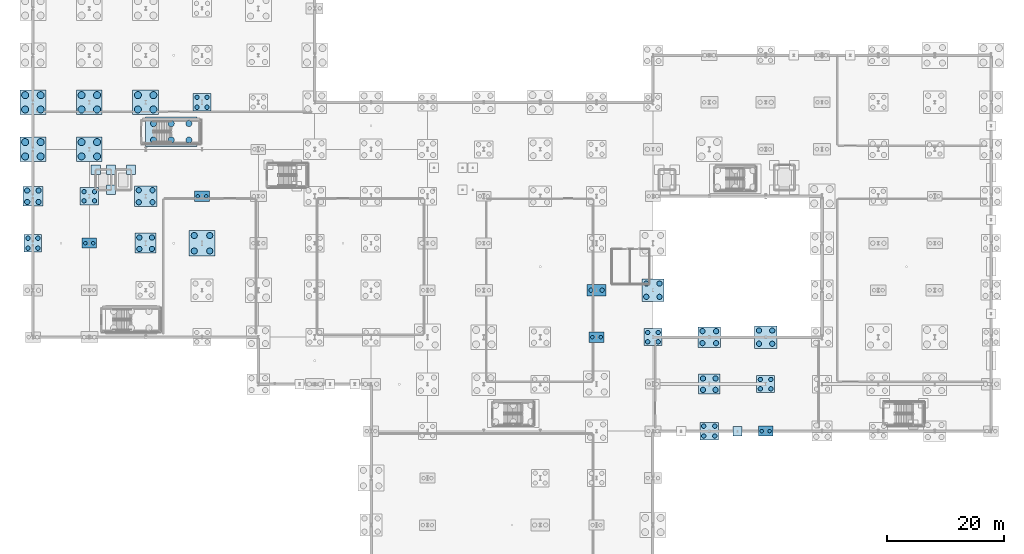
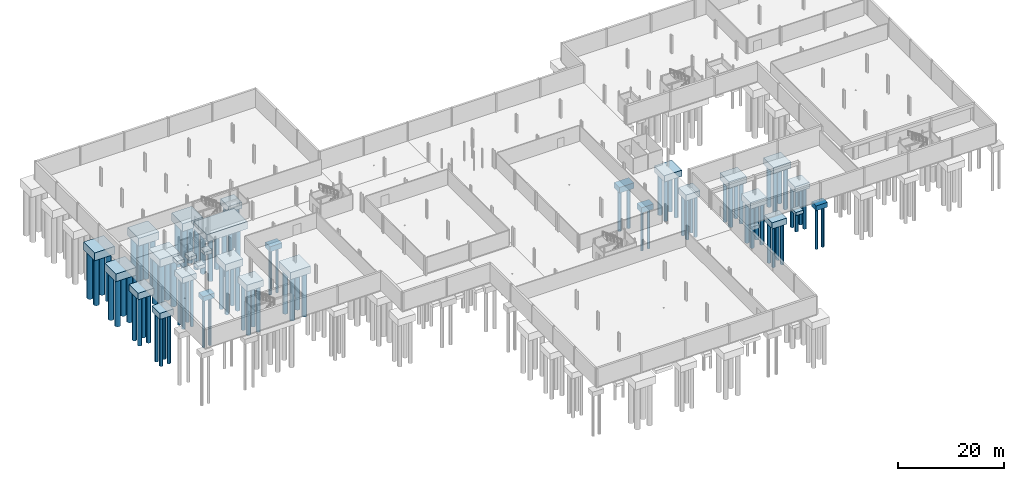
# One storey, part 3 of 47: 92 piles, 30 footings.
"""IFC4 building model written with IfcOpenShell, lengths in metres."""

from ifc_helpers import new_model, si_unit, direction, frame, origin, origin_2d, place, context, subcontext, project, spatial, rectangle, circle, extrude, material, material_profile, profile_set, type_object, element, save


model = new_model("IFC4")

# Units and contexts
model_context = context("Model", 3, precision=1e-05, world=origin(), true_north=direction((0.0, 1.0)))
body_context = subcontext(model_context, "Body", "Model", "MODEL_VIEW")
ifc_project = project(units=[si_unit("LENGTHUNIT", "METRE"), si_unit("AREAUNIT", "SQUARE_METRE"), si_unit("VOLUMEUNIT", "CUBIC_METRE"), si_unit("PLANEANGLEUNIT", "RADIAN"), si_unit("MASSUNIT", "GRAM", prefix="KILO")], contexts=[model_context])

# Site, building, storey
site_placement = place(None, origin())
site = spatial("IfcSite", under=ifc_project, at=site_placement, CompositionType="ELEMENT")
building_placement = place(site_placement, origin())
building = spatial("IfcBuilding", under=site, at=building_placement, Name="Alderhovde Museum", CompositionType="ELEMENT")
storey_placement = place(building_placement, frame((0.0, 0.0, -4.5)))
storey = spatial("IfcBuildingStorey", under=building, at=storey_placement, Name="B1", CompositionType="ELEMENT", Elevation=-4.5)

# Footings
ifc_material_1 = material(Name="Concrete C40/50", Category="concrete")
footing_type_1 = type_object("IfcFootingType", Name="PC-2500x1700x1100", PredefinedType="PILE_CAP", material=ifc_material_1)
for number, where, z_axis, x_axis, name in (
    (1, (19.199951171875, 64.0, -1.5), (0.0, 0.0, 1.0), (1.0, 0.0, 0.0), "Pile Cap at (19.2, 64.0)"),
    (2, (134.39990234375, 32.0, -1.5), (0.0, 0.0, 1.0), (1.0, 0.0, 0.0), "Pile Cap at (134.4, 32.0)"),
):
    element("IfcFooting", number, at=place(storey_placement, frame(where, z_axis=z_axis, x_axis=x_axis)), inside=storey, type_object=footing_type_1, Name=name, PredefinedType="PILE_CAP", context=body_context, shape_type="SweptSolid", body=[
        extrude(rectangle(XDim=2.5, YDim=1.699951171875, at=origin_2d()), origin(), (0.0, 0.0, 1.0), 1.10009765625),
    ])
ifc_material_2 = material(Name="Concrete C40/50", Category="concrete")
footing_type_2 = type_object("IfcFootingType", Name="PC-2600x1800x1200", PredefinedType="PILE_CAP", material=ifc_material_2)
for number, where, z_axis, x_axis, name in (
    (3, (38.39990234375, 72.0, -1.60009765625), (0.0, 0.0, 1.0), (1.0, 0.0, 0.0), "Pile Cap at (38.4, 72.0)"),
    (4, (105.60009765625, 48.0, -1.60009765625), (0.0, 0.0, 1.0), (1.0, 0.0, 0.0), "Pile Cap at (105.6, 48.0)"),
):
    element("IfcFooting", number, at=place(storey_placement, frame(where, z_axis=z_axis, x_axis=x_axis)), inside=storey, type_object=footing_type_2, Name=name, PredefinedType="PILE_CAP", context=body_context, shape_type="SweptSolid", body=[
        extrude(rectangle(XDim=2.60009765625, YDim=1.800048828125, at=origin_2d()), origin(), (0.0, 0.0, 1.0), 1.199951171875),
    ])
ifc_material_3 = material(Name="Concrete C40/50", Category="concrete")
footing_type_3 = type_object("IfcFootingType", Name="PC-3000x3000x1400", PredefinedType="PILE_CAP", material=ifc_material_3)
for number, where, z_axis, x_axis, name in (
    (5, (9.60009765625, 64.0, -1.800048828125), (0.0, 0.0, 1.0), (1.0, 0.0, 0.0), "Pile Cap at (9.6, 64.0)"),
    (6, (38.39990234375, 88.0, -1.800048828125), (0.0, 0.0, 1.0), (1.0, 0.0, 0.0), "Pile Cap at (38.4, 88.0)"),
):
    element("IfcFooting", number, at=place(storey_placement, frame(where, z_axis=z_axis, x_axis=x_axis)), inside=storey, type_object=footing_type_3, Name=name, PredefinedType="PILE_CAP", context=body_context, shape_type="SweptSolid", body=[
        extrude(rectangle(XDim=3.0, YDim=3.0, at=origin_2d()), origin(), (0.0, 0.0, 1.0), 1.39990234375),
    ])
ifc_material_4 = material(Name="Concrete C40/50", Category="concrete")
footing_type_4 = type_object("IfcFootingType", Name="PC-3100x2900x1350", PredefinedType="PILE_CAP", material=ifc_material_4)
for number, where, z_axis, x_axis, name in (
    (7, (19.199951171875, 72.0, -1.75), (0.0, 0.0, 1.0), (1.0, 0.0, 0.0), "Pile Cap at (19.2, 72.0)"),
    (8, (115.199951171875, 48.0, -1.75), (0.0, 0.0, 1.0), (1.0, 0.0, 0.0), "Pile Cap at (115.2, 48.0)"),
    (9, (134.39990234375, 40.0, -1.75), (0.0, 0.0, 1.0), (1.0, 0.0, 0.0), "Pile Cap at (134.4, 40.0)"),
):
    element("IfcFooting", number, at=place(storey_placement, frame(where, z_axis=z_axis, x_axis=x_axis)), inside=storey, type_object=footing_type_4, Name=name, PredefinedType="PILE_CAP", context=body_context, shape_type="SweptSolid", body=[
        extrude(rectangle(XDim=3.10009765625, YDim=2.89990234375, at=origin_2d()), origin(), (0.0, 0.0, 1.0), 1.35009765625),
    ])
ifc_material_5 = material(Name="Concrete C40/50", Category="concrete")
footing_type_5 = type_object("IfcFootingType", Name="PC-3200x2000x1300", PredefinedType="PILE_CAP", material=ifc_material_5)
footing_1_placement = place(storey_placement, frame((105.60009765625, 56.0, -1.7001953125), z_axis=(0.0, 0.0, 1.0), x_axis=(1.0, 0.0, 0.0)))
element("IfcFooting", 10, at=footing_1_placement, inside=storey, type_object=footing_type_5, Name="Pile Cap at (105.6, 56.0)", PredefinedType="PILE_CAP", context=body_context, shape_type="SweptSolid", body=[
    extrude(rectangle(XDim=3.199951171875, YDim=2.0, at=origin_2d()), origin(), (0.0, 0.0, 1.0), 1.300048828125),
])
ifc_material_6 = material(Name="Concrete C40/50", Category="concrete")
footing_type_6 = type_object("IfcFootingType", Name="PC-3200x3000x1400", PredefinedType="PILE_CAP", material=ifc_material_6)
footing_2_placement = place(storey_placement, frame((124.800048828125, 32.0, -1.800048828125), z_axis=(0.0, 0.0, 1.0), x_axis=(1.0, 0.0, 0.0)))
element("IfcFooting", 11, at=footing_2_placement, inside=storey, type_object=footing_type_6, Name="Pile Cap at (124.8, 32.0)", PredefinedType="PILE_CAP", context=body_context, shape_type="SweptSolid", body=[
    extrude(rectangle(XDim=3.199951171875, YDim=3.0, at=origin_2d()), origin(), (0.0, 0.0, 1.0), 1.39990234375),
])
ifc_material_7 = material(Name="Concrete C40/50", Category="concrete")
footing_type_7 = type_object("IfcFootingType", Name="PC-3400x3400x1500", PredefinedType="PILE_CAP", material=ifc_material_7)
footing_3_placement = place(storey_placement, frame((9.60009765625, 72.0, -1.89990234375), z_axis=(0.0, 0.0, 1.0), x_axis=(1.0, 0.0, 0.0)))
element("IfcFooting", 12, at=footing_3_placement, inside=storey, type_object=footing_type_7, Name="Pile Cap at (9.6, 72.0)", PredefinedType="PILE_CAP", context=body_context, shape_type="SweptSolid", body=[
    extrude(rectangle(XDim=3.39990234375, YDim=3.39990234375, at=origin_2d()), origin(), (0.0, 0.0, 1.0), 1.5),
])
ifc_material_8 = material(Name="Concrete C40/50", Category="concrete")
footing_type_8 = type_object("IfcFootingType", Name="PC-3600x3400x1500", PredefinedType="PILE_CAP", material=ifc_material_8)
for number, where, z_axis, x_axis, name in (
    (13, (28.800048828125, 64.0, -1.89990234375), (0.0, 0.0, 1.0), (1.0, 0.0, 0.0), "Pile Cap at (28.8, 64.0)"),
    (14, (124.800048828125, 40.0, -1.89990234375), (0.0, 0.0, 1.0), (1.0, 0.0, 0.0), "Pile Cap at (124.8, 40.0)"),
):
    element("IfcFooting", number, at=place(storey_placement, frame(where, z_axis=z_axis, x_axis=x_axis)), inside=storey, type_object=footing_type_8, Name=name, PredefinedType="PILE_CAP", context=body_context, shape_type="SweptSolid", body=[
        extrude(rectangle(XDim=3.60009765625, YDim=3.39990234375, at=origin_2d()), origin(), (0.0, 0.0, 1.0), 1.5),
    ])
ifc_material_9 = material(Name="Concrete C40/50", Category="concrete")
footing_type_9 = type_object("IfcFootingType", Name="PC-3800x3500x1600", PredefinedType="PILE_CAP", material=ifc_material_9)
for number, where, z_axis, x_axis, name in (
    (15, (28.800048828125, 72.0, -2.0), (0.0, 0.0, 1.0), (1.0, 0.0, 0.0), "Pile Cap at (28.8, 72.0)"),
    (16, (124.800048828125, 48.0, -2.0), (0.0, 0.0, 1.0), (1.0, 0.0, 0.0), "Pile Cap at (124.8, 48.0)"),
):
    element("IfcFooting", number, at=place(storey_placement, frame(where, z_axis=z_axis, x_axis=x_axis)), inside=storey, type_object=footing_type_9, Name=name, PredefinedType="PILE_CAP", context=body_context, shape_type="SweptSolid", body=[
        extrude(rectangle(XDim=3.800048828125, YDim=3.5, at=origin_2d()), origin(), (0.0, 0.0, 1.0), 1.60009765625),
    ])
ifc_material_10 = material(Name="Concrete C40/50", Category="concrete")
footing_type_10 = type_object("IfcFootingType", Name="PC-3800x3800x1450", PredefinedType="PILE_CAP", material=ifc_material_10)
for number, where, z_axis, x_axis, name in (
    (17, (115.199951171875, 56.0, -1.85009765625), (0.0, 0.0, 1.0), (1.0, 0.0, 0.0), "Pile Cap at (115.2, 56.0)"),
    (18, (134.39990234375, 48.0, -1.85009765625), (0.0, 0.0, 1.0), (1.0, 0.0, 0.0), "Pile Cap at (134.4, 48.0)"),
):
    element("IfcFooting", number, at=place(storey_placement, frame(where, z_axis=z_axis, x_axis=x_axis)), inside=storey, type_object=footing_type_10, Name=name, PredefinedType="PILE_CAP", context=body_context, shape_type="SweptSolid", body=[
        extrude(rectangle(XDim=3.800048828125, YDim=3.800048828125, at=origin_2d()), origin(), (0.0, 0.0, 1.0), 1.449951171875),
    ])
ifc_material_11 = material(Name="Concrete C40/50", Category="concrete")
footing_type_11 = type_object("IfcFootingType", Name="PC-4400x4200x1800", PredefinedType="PILE_CAP", material=ifc_material_11)
for number, where, z_axis, x_axis, name in (
    (19, (9.60009765625, 80.0, -2.2001953125), (0.0, 0.0, 1.0), (1.0, 0.0, 0.0), "Pile Cap at (9.6, 80.0)"),
    (20, (9.60009765625, 88.0, -2.2001953125), (0.0, 0.0, 1.0), (1.0, 0.0, 0.0), "Pile Cap at (9.6, 88.0)"),
    (21, (19.199951171875, 80.0, -2.2001953125), (0.0, 0.0, 1.0), (1.0, 0.0, 0.0), "Pile Cap at (19.2, 80.0)"),
    (22, (19.199951171875, 88.0, -2.2001953125), (0.0, 0.0, 1.0), (1.0, 0.0, 0.0), "Pile Cap at (19.2, 88.0)"),
    (23, (28.800048828125, 88.0, -2.2001953125), (0.0, 0.0, 1.0), (1.0, 0.0, 0.0), "Pile Cap at (28.8, 88.0)"),
):
    element("IfcFooting", number, at=place(storey_placement, frame(where, z_axis=z_axis, x_axis=x_axis)), inside=storey, type_object=footing_type_11, Name=name, PredefinedType="PILE_CAP", context=body_context, shape_type="SweptSolid", body=[
        extrude(rectangle(XDim=4.39990234375, YDim=4.199951171875, at=origin_2d()), origin(), (0.0, 0.0, 1.0), 1.800048828125),
    ])
ifc_material_12 = material(Name="Concrete C40/50", Category="concrete")
footing_type_12 = type_object("IfcFootingType", Name="PC-4400x4400x1650", PredefinedType="PILE_CAP", material=ifc_material_12)
footing_4_placement = place(storey_placement, frame((38.39990234375, 64.0, -2.050048828125), z_axis=(0.0, 0.0, 1.0), x_axis=(1.0, 0.0, 0.0)))
element("IfcFooting", 24, at=footing_4_placement, inside=storey, type_object=footing_type_12, Name="Pile Cap at (38.4, 64.0)", PredefinedType="PILE_CAP", context=body_context, shape_type="SweptSolid", body=[
    extrude(rectangle(XDim=4.39990234375, YDim=4.39990234375, at=origin_2d()), origin(), (0.0, 0.0, 1.0), 1.64990234375),
])
ifc_material_13 = material(Name="Concrete C40/50", Category="concrete")
footing_type_13 = type_object("IfcFootingType", Name="PC-CORE-8800x5000x1700", PredefinedType="PILE_CAP", material=ifc_material_13)
footing_5_placement = place(storey_placement, frame((33.159912109375, 82.97998046875, -2.10009765625), z_axis=(0.0, 0.0, 1.0), x_axis=(1.0, 0.0, 0.0)))
element("IfcFooting", 25, at=footing_5_placement, inside=storey, type_object=footing_type_13, Name="Core Pile Cap ST2", PredefinedType="PILE_CAP", context=body_context, shape_type="SweptSolid", body=[
    extrude(rectangle(XDim=8.800048828125, YDim=5.0, at=origin_2d()), origin(), (0.0, 0.0, 1.0), 1.699951171875),
])
ifc_material_14 = material(Name="Concrete C40/50", Category="concrete")
footing_type_14 = type_object("IfcFootingType", Name="PF-1600x1600x750", PredefinedType="PAD_FOOTING", material=ifc_material_14)
for number, where, z_axis, x_axis, name in (
    (26, (129.60009765625, 32.0, -1.14990234375), (0.0, 0.0, 1.0), (1.0, 0.0, 0.0), "Pilaster Pad Footing (129.6, 32.0)"),
    (27, (22.89990234375, 73.10009765625, -1.14990234375), (0.0, 0.0, 1.0), (1.0, 0.0, 0.0), "Lift PL-01 Shaft Post Footing 2"),
    (28, (22.89990234375, 76.5, -1.14990234375), (0.0, 0.0, 1.0), (1.0, 0.0, 0.0), "Lift PL-01 Shaft Post Footing 3"),
    (29, (20.300048828125, 76.5, -1.14990234375), (0.0, 0.0, 1.0), (1.0, 0.0, 0.0), "Lift PL-01 Shaft Post Footing 4"),
    (30, (26.300048828125, 76.5, -1.14990234375), (0.0, 0.0, 1.0), (1.0, 0.0, 0.0), "Lift PL-02 Shaft Post Footing 3"),
):
    element("IfcFooting", number, at=place(storey_placement, frame(where, z_axis=z_axis, x_axis=x_axis)), inside=storey, type_object=footing_type_14, Name=name, PredefinedType="PAD_FOOTING", context=body_context, shape_type="SweptSolid", body=[
        extrude(rectangle(XDim=1.60009765625, YDim=1.60009765625, at=origin_2d()), origin(), (0.0, 0.0, 1.0), 0.75),
    ])

# Piles
ifc_material_15 = material(Name="Concrete C40/50", Category="concrete")
ifc_material_profile_1 = material_profile(ifc_material_15, circle(Radius=0.52490234375, at=origin_2d()), Name="PILE-D1050")
ifc_profile_set_1 = profile_set([ifc_material_profile_1], Name="Concrete C40/50")
pile_type_1 = type_object("IfcPileType", Name="PIL-D1050", PredefinedType="BORED", material=ifc_profile_set_1)
for number, where, z_axis, x_axis, name in (
    (31, (30.159912109375, 81.580078125, -2.0), (0.0, 0.0, -1.0), (1.0, 0.0, 0.0), "Core Bored Pile ST2-P1"),
    (32, (33.159912109375, 81.580078125, -2.0), (0.0, 0.0, -1.0), (1.0, 0.0, 0.0), "Core Bored Pile ST2-P2"),
    (33, (36.159912109375, 81.580078125, -2.0), (0.0, 0.0, -1.0), (1.0, 0.0, 0.0), "Core Bored Pile ST2-P3"),
    (34, (30.159912109375, 84.3798828125, -2.0), (0.0, 0.0, -1.0), (1.0, 0.0, 0.0), "Core Bored Pile ST2-P4"),
    (35, (33.159912109375, 84.3798828125, -2.0), (0.0, 0.0, -1.0), (1.0, 0.0, 0.0), "Core Bored Pile ST2-P5"),
    (36, (36.159912109375, 84.3798828125, -2.0), (0.0, 0.0, -1.0), (1.0, 0.0, 0.0), "Core Bored Pile ST2-P6"),
):
    element("IfcPile", number, at=place(storey_placement, frame(where, z_axis=z_axis, x_axis=x_axis)), inside=storey, type_object=pile_type_1, Name=name, PredefinedType="BORED", context=body_context, shape_type="SweptSolid", body=[
        extrude(circle(Radius=0.52490234375, at=origin_2d()), origin(), (0.0, 0.0, 1.0), 10.0048828125),
    ])
for number, where, z_axis, x_axis, name in (
    (37, (37.080078125, 62.679931640625, -1.949951171875), (0.0, 0.0, -1.0), (1.0, 0.0, 0.0), "Bored Pile PC-0384-0640-P1"),
    (38, (39.719970703125, 62.679931640625, -1.949951171875), (0.0, 0.0, -1.0), (1.0, 0.0, 0.0), "Bored Pile PC-0384-0640-P2"),
    (39, (37.080078125, 65.320068359375, -1.949951171875), (0.0, 0.0, -1.0), (1.0, 0.0, 0.0), "Bored Pile PC-0384-0640-P3"),
    (40, (39.719970703125, 65.320068359375, -1.949951171875), (0.0, 0.0, -1.0), (1.0, 0.0, 0.0), "Bored Pile PC-0384-0640-P4"),
):
    element("IfcPile", number, at=place(storey_placement, frame(where, z_axis=z_axis, x_axis=x_axis)), inside=storey, type_object=pile_type_1, Name=name, PredefinedType="BORED", context=body_context, shape_type="SweptSolid", body=[
        extrude(circle(Radius=0.52490234375, at=origin_2d()), origin(), (0.0, 0.0, 1.0), 10.12109375),
    ])
ifc_material_16 = material(Name="Concrete C40/50", Category="concrete")
ifc_material_profile_2 = material_profile(ifc_material_16, circle(Radius=0.60009765625, at=origin_2d()), Name="PILE-D1200")
ifc_profile_set_2 = profile_set([ifc_material_profile_2], Name="Concrete C40/50")
pile_type_2 = type_object("IfcPileType", Name="PIL-D1200", PredefinedType="BORED", material=ifc_profile_set_2)
for number, where, z_axis, x_axis, name in (
    (41, (8.280029296875, 78.780029296875, -2.10009765625), (0.0, 0.0, -1.0), (1.0, 0.0, 0.0), "Bored Pile PC-0096-0800-P1"),
    (42, (10.919921875, 78.780029296875, -2.10009765625), (0.0, 0.0, -1.0), (1.0, 0.0, 0.0), "Bored Pile PC-0096-0800-P2"),
    (43, (8.280029296875, 81.219970703125, -2.10009765625), (0.0, 0.0, -1.0), (1.0, 0.0, 0.0), "Bored Pile PC-0096-0800-P3"),
    (44, (10.919921875, 81.219970703125, -2.10009765625), (0.0, 0.0, -1.0), (1.0, 0.0, 0.0), "Bored Pile PC-0096-0800-P4"),
    (45, (8.280029296875, 86.780029296875, -2.10009765625), (0.0, 0.0, -1.0), (1.0, 0.0, 0.0), "Bored Pile PC-0096-0880-P1"),
    (46, (10.919921875, 86.780029296875, -2.10009765625), (0.0, 0.0, -1.0), (1.0, 0.0, 0.0), "Bored Pile PC-0096-0880-P2"),
    (47, (8.280029296875, 89.219970703125, -2.10009765625), (0.0, 0.0, -1.0), (1.0, 0.0, 0.0), "Bored Pile PC-0096-0880-P3"),
    (48, (10.919921875, 89.219970703125, -2.10009765625), (0.0, 0.0, -1.0), (1.0, 0.0, 0.0), "Bored Pile PC-0096-0880-P4"),
):
    element("IfcPile", number, at=place(storey_placement, frame(where, z_axis=z_axis, x_axis=x_axis)), inside=storey, type_object=pile_type_2, Name=name, PredefinedType="BORED", context=body_context, shape_type="SweptSolid", body=[
        extrude(circle(Radius=0.60009765625, at=origin_2d()), origin(), (0.0, 0.0, 1.0), 10.89306640625),
    ])
for number, where, z_axis, x_axis, name in (
    (49, (17.8798828125, 78.780029296875, -2.10009765625), (0.0, 0.0, -1.0), (1.0, 0.0, 0.0), "Bored Pile PC-0192-0800-P1"),
    (50, (20.52001953125, 78.780029296875, -2.10009765625), (0.0, 0.0, -1.0), (1.0, 0.0, 0.0), "Bored Pile PC-0192-0800-P2"),
    (51, (17.8798828125, 81.219970703125, -2.10009765625), (0.0, 0.0, -1.0), (1.0, 0.0, 0.0), "Bored Pile PC-0192-0800-P3"),
    (52, (20.52001953125, 81.219970703125, -2.10009765625), (0.0, 0.0, -1.0), (1.0, 0.0, 0.0), "Bored Pile PC-0192-0800-P4"),
    (53, (17.8798828125, 86.780029296875, -2.10009765625), (0.0, 0.0, -1.0), (1.0, 0.0, 0.0), "Bored Pile PC-0192-0880-P1"),
    (54, (20.52001953125, 86.780029296875, -2.10009765625), (0.0, 0.0, -1.0), (1.0, 0.0, 0.0), "Bored Pile PC-0192-0880-P2"),
    (55, (17.8798828125, 89.219970703125, -2.10009765625), (0.0, 0.0, -1.0), (1.0, 0.0, 0.0), "Bored Pile PC-0192-0880-P3"),
    (56, (20.52001953125, 89.219970703125, -2.10009765625), (0.0, 0.0, -1.0), (1.0, 0.0, 0.0), "Bored Pile PC-0192-0880-P4"),
):
    element("IfcPile", number, at=place(storey_placement, frame(where, z_axis=z_axis, x_axis=x_axis)), inside=storey, type_object=pile_type_2, Name=name, PredefinedType="BORED", context=body_context, shape_type="SweptSolid", body=[
        extrude(circle(Radius=0.60009765625, at=origin_2d()), origin(), (0.0, 0.0, 1.0), 10.5859375),
    ])
for number, where, z_axis, x_axis, name in (
    (57, (27.47998046875, 86.780029296875, -2.10009765625), (0.0, 0.0, -1.0), (1.0, 0.0, 0.0), "Bored Pile PC-0288-0880-P1"),
    (58, (30.1201171875, 86.780029296875, -2.10009765625), (0.0, 0.0, -1.0), (1.0, 0.0, 0.0), "Bored Pile PC-0288-0880-P2"),
    (59, (27.47998046875, 89.219970703125, -2.10009765625), (0.0, 0.0, -1.0), (1.0, 0.0, 0.0), "Bored Pile PC-0288-0880-P3"),
    (60, (30.1201171875, 89.219970703125, -2.10009765625), (0.0, 0.0, -1.0), (1.0, 0.0, 0.0), "Bored Pile PC-0288-0880-P4"),
):
    element("IfcPile", number, at=place(storey_placement, frame(where, z_axis=z_axis, x_axis=x_axis)), inside=storey, type_object=pile_type_2, Name=name, PredefinedType="BORED", context=body_context, shape_type="SweptSolid", body=[
        extrude(circle(Radius=0.60009765625, at=origin_2d()), origin(), (0.0, 0.0, 1.0), 10.278076171875),
    ])
ifc_material_17 = material(Name="Concrete C40/50", Category="concrete")
ifc_material_profile_3 = material_profile(ifc_material_17, circle(Radius=0.300048828125, at=origin_2d()), Name="PILE-D600")
ifc_profile_set_3 = profile_set([ifc_material_profile_3], Name="Concrete C40/50")
pile_type_3 = type_object("IfcPileType", Name="PIL-D600", PredefinedType="BORED", material=ifc_profile_set_3)
for number, where, z_axis, x_axis, name in (
    (61, (18.530029296875, 64.0, -1.39990234375), (0.0, 0.0, -1.0), (1.0, 0.0, 0.0), "Bored Pile PC-0192-0640-P1"),
    (62, (19.8701171875, 64.0, -1.39990234375), (0.0, 0.0, -1.0), (1.0, 0.0, 0.0), "Bored Pile PC-0192-0640-P2"),
):
    element("IfcPile", number, at=place(storey_placement, frame(where, z_axis=z_axis, x_axis=x_axis)), inside=storey, type_object=pile_type_3, Name=name, PredefinedType="BORED", context=body_context, shape_type="SweptSolid", body=[
        extrude(circle(Radius=0.300048828125, at=origin_2d()), origin(), (0.0, 0.0, 1.0), 11.285888671875),
    ])
for number, where, z_axis, x_axis, name in (
    (63, (37.679931640625, 72.0, -1.5), (0.0, 0.0, -1.0), (1.0, 0.0, 0.0), "Bored Pile PC-0384-0720-P1"),
    (64, (39.1201171875, 72.0, -1.5), (0.0, 0.0, -1.0), (1.0, 0.0, 0.0), "Bored Pile PC-0384-0720-P2"),
):
    element("IfcPile", number, at=place(storey_placement, frame(where, z_axis=z_axis, x_axis=x_axis)), inside=storey, type_object=pile_type_3, Name=name, PredefinedType="BORED", context=body_context, shape_type="SweptSolid", body=[
        extrude(circle(Radius=0.300048828125, at=origin_2d()), origin(), (0.0, 0.0, 1.0), 10.571044921875),
    ])
for number, where, z_axis, x_axis, name in (
    (65, (104.8798828125, 48.0, -1.5), (0.0, 0.0, -1.0), (1.0, 0.0, 0.0), "Bored Pile PC-1056-0480-P1"),
    (66, (106.320068359375, 48.0, -1.5), (0.0, 0.0, -1.0), (1.0, 0.0, 0.0), "Bored Pile PC-1056-0480-P2"),
):
    element("IfcPile", number, at=place(storey_placement, frame(where, z_axis=z_axis, x_axis=x_axis)), inside=storey, type_object=pile_type_3, Name=name, PredefinedType="BORED", context=body_context, shape_type="SweptSolid", body=[
        extrude(circle(Radius=0.300048828125, at=origin_2d()), origin(), (0.0, 0.0, 1.0), 9.39990234375),
    ])
for number, where, z_axis, x_axis, name in (
    (67, (133.72998046875, 32.0, -1.39990234375), (0.0, 0.0, -1.0), (1.0, 0.0, 0.0), "Bored Pile PC-1344-0320-P1"),
    (68, (135.070068359375, 32.0, -1.39990234375), (0.0, 0.0, -1.0), (1.0, 0.0, 0.0), "Bored Pile PC-1344-0320-P2"),
):
    element("IfcPile", number, at=place(storey_placement, frame(where, z_axis=z_axis, x_axis=x_axis)), inside=storey, type_object=pile_type_3, Name=name, PredefinedType="BORED", context=body_context, shape_type="SweptSolid", body=[
        extrude(circle(Radius=0.300048828125, at=origin_2d()), origin(), (0.0, 0.0, 1.0), 9.5),
    ])
ifc_material_18 = material(Name="Concrete C40/50", Category="concrete")
ifc_material_profile_4 = material_profile(ifc_material_18, circle(Radius=0.375, at=origin_2d()), Name="PILE-D750")
ifc_profile_set_4 = profile_set([ifc_material_profile_4], Name="Concrete C40/50")
pile_type_4 = type_object("IfcPileType", Name="PIL-D750", PredefinedType="BORED", material=ifc_profile_set_4)
for number, where, z_axis, x_axis, name in (
    (69, (8.7548828125, 63.155029296875, -1.699951171875), (0.0, 0.0, -1.0), (1.0, 0.0, 0.0), "Bored Pile PC-0096-0640-P1"),
    (70, (10.445068359375, 63.155029296875, -1.699951171875), (0.0, 0.0, -1.0), (1.0, 0.0, 0.0), "Bored Pile PC-0096-0640-P2"),
    (71, (8.7548828125, 64.844970703125, -1.699951171875), (0.0, 0.0, -1.0), (1.0, 0.0, 0.0), "Bored Pile PC-0096-0640-P3"),
    (72, (10.445068359375, 64.844970703125, -1.699951171875), (0.0, 0.0, -1.0), (1.0, 0.0, 0.0), "Bored Pile PC-0096-0640-P4"),
):
    element("IfcPile", number, at=place(storey_placement, frame(where, z_axis=z_axis, x_axis=x_axis)), inside=storey, type_object=pile_type_4, Name=name, PredefinedType="BORED", context=body_context, shape_type="SweptSolid", body=[
        extrude(circle(Radius=0.375, at=origin_2d()), origin(), (0.0, 0.0, 1.0), 11.29296875),
    ])
for number, where, z_axis, x_axis, name in (
    (73, (18.304931640625, 71.205078125, -1.64990234375), (0.0, 0.0, -1.0), (1.0, 0.0, 0.0), "Bored Pile PC-0192-0720-P1"),
    (74, (20.094970703125, 71.205078125, -1.64990234375), (0.0, 0.0, -1.0), (1.0, 0.0, 0.0), "Bored Pile PC-0192-0720-P2"),
    (75, (18.304931640625, 72.794921875, -1.64990234375), (0.0, 0.0, -1.0), (1.0, 0.0, 0.0), "Bored Pile PC-0192-0720-P3"),
    (76, (20.094970703125, 72.794921875, -1.64990234375), (0.0, 0.0, -1.0), (1.0, 0.0, 0.0), "Bored Pile PC-0192-0720-P4"),
):
    element("IfcPile", number, at=place(storey_placement, frame(where, z_axis=z_axis, x_axis=x_axis)), inside=storey, type_object=pile_type_4, Name=name, PredefinedType="BORED", context=body_context, shape_type="SweptSolid", body=[
        extrude(circle(Radius=0.375, at=origin_2d()), origin(), (0.0, 0.0, 1.0), 11.035888671875),
    ])
for number, where, z_axis, x_axis, name in (
    (77, (37.554931640625, 87.155029296875, -1.699951171875), (0.0, 0.0, -1.0), (1.0, 0.0, 0.0), "Bored Pile PC-0384-0880-P1"),
    (78, (39.2451171875, 87.155029296875, -1.699951171875), (0.0, 0.0, -1.0), (1.0, 0.0, 0.0), "Bored Pile PC-0384-0880-P2"),
    (79, (37.554931640625, 88.844970703125, -1.699951171875), (0.0, 0.0, -1.0), (1.0, 0.0, 0.0), "Bored Pile PC-0384-0880-P3"),
    (80, (39.2451171875, 88.844970703125, -1.699951171875), (0.0, 0.0, -1.0), (1.0, 0.0, 0.0), "Bored Pile PC-0384-0880-P4"),
):
    element("IfcPile", number, at=place(storey_placement, frame(where, z_axis=z_axis, x_axis=x_axis)), inside=storey, type_object=pile_type_4, Name=name, PredefinedType="BORED", context=body_context, shape_type="SweptSolid", body=[
        extrude(circle(Radius=0.375, at=origin_2d()), origin(), (0.0, 0.0, 1.0), 10.37109375),
    ])
for number, where, z_axis, x_axis, name in (
    (81, (104.64990234375, 56.0, -1.60009765625), (0.0, 0.0, -1.0), (1.0, 0.0, 0.0), "Bored Pile PC-1056-0560-P1"),
    (82, (106.550048828125, 56.0, -1.60009765625), (0.0, 0.0, -1.0), (1.0, 0.0, 0.0), "Bored Pile PC-1056-0560-P2"),
):
    element("IfcPile", number, at=place(storey_placement, frame(where, z_axis=z_axis, x_axis=x_axis)), inside=storey, type_object=pile_type_4, Name=name, PredefinedType="BORED", context=body_context, shape_type="SweptSolid", body=[
        extrude(circle(Radius=0.375, at=origin_2d()), origin(), (0.0, 0.0, 1.0), 9.52490234375),
    ])
for number, where, z_axis, x_axis, name in (
    (83, (114.304931640625, 47.205078125, -1.64990234375), (0.0, 0.0, -1.0), (1.0, 0.0, 0.0), "Bored Pile PC-1152-0480-P1"),
    (84, (116.094970703125, 47.205078125, -1.64990234375), (0.0, 0.0, -1.0), (1.0, 0.0, 0.0), "Bored Pile PC-1152-0480-P2"),
    (85, (114.304931640625, 48.794921875, -1.64990234375), (0.0, 0.0, -1.0), (1.0, 0.0, 0.0), "Bored Pile PC-1152-0480-P3"),
    (86, (116.094970703125, 48.794921875, -1.64990234375), (0.0, 0.0, -1.0), (1.0, 0.0, 0.0), "Bored Pile PC-1152-0480-P4"),
):
    element("IfcPile", number, at=place(storey_placement, frame(where, z_axis=z_axis, x_axis=x_axis)), inside=storey, type_object=pile_type_4, Name=name, PredefinedType="BORED", context=body_context, shape_type="SweptSolid", body=[
        extrude(circle(Radius=0.375, at=origin_2d()), origin(), (0.0, 0.0, 1.0), 9.47509765625),
    ])
for number, where, z_axis, x_axis, name in (
    (87, (123.85498046875, 31.155029296875, -1.699951171875), (0.0, 0.0, -1.0), (1.0, 0.0, 0.0), "Bored Pile PC-1248-0320-P1"),
    (88, (125.7451171875, 31.155029296875, -1.699951171875), (0.0, 0.0, -1.0), (1.0, 0.0, 0.0), "Bored Pile PC-1248-0320-P2"),
    (89, (123.85498046875, 32.844970703125, -1.699951171875), (0.0, 0.0, -1.0), (1.0, 0.0, 0.0), "Bored Pile PC-1248-0320-P3"),
    (90, (125.7451171875, 32.844970703125, -1.699951171875), (0.0, 0.0, -1.0), (1.0, 0.0, 0.0), "Bored Pile PC-1248-0320-P4"),
):
    element("IfcPile", number, at=place(storey_placement, frame(where, z_axis=z_axis, x_axis=x_axis)), inside=storey, type_object=pile_type_4, Name=name, PredefinedType="BORED", context=body_context, shape_type="SweptSolid", body=[
        extrude(circle(Radius=0.375, at=origin_2d()), origin(), (0.0, 0.0, 1.0), 9.425048828125),
    ])
for number, where, z_axis, x_axis, name in (
    (91, (133.5048828125, 39.205078125, -1.64990234375), (0.0, 0.0, -1.0), (1.0, 0.0, 0.0), "Bored Pile PC-1344-0400-P1"),
    (92, (135.294921875, 39.205078125, -1.64990234375), (0.0, 0.0, -1.0), (1.0, 0.0, 0.0), "Bored Pile PC-1344-0400-P2"),
    (93, (133.5048828125, 40.794921875, -1.64990234375), (0.0, 0.0, -1.0), (1.0, 0.0, 0.0), "Bored Pile PC-1344-0400-P3"),
    (94, (135.294921875, 40.794921875, -1.64990234375), (0.0, 0.0, -1.0), (1.0, 0.0, 0.0), "Bored Pile PC-1344-0400-P4"),
):
    element("IfcPile", number, at=place(storey_placement, frame(where, z_axis=z_axis, x_axis=x_axis)), inside=storey, type_object=pile_type_4, Name=name, PredefinedType="BORED", context=body_context, shape_type="SweptSolid", body=[
        extrude(circle(Radius=0.375, at=origin_2d()), origin(), (0.0, 0.0, 1.0), 9.47509765625),
    ])
ifc_material_19 = material(Name="Concrete C40/50", Category="concrete")
ifc_material_profile_5 = material_profile(ifc_material_19, circle(Radius=0.449951171875, at=origin_2d()), Name="PILE-D900")
ifc_profile_set_5 = profile_set([ifc_material_profile_5], Name="Concrete C40/50")
pile_type_5 = type_object("IfcPileType", Name="PIL-D900", PredefinedType="BORED", material=ifc_profile_set_5)
for number, where, z_axis, x_axis, name in (
    (95, (8.6298828125, 71.030029296875, -1.800048828125), (0.0, 0.0, -1.0), (1.0, 0.0, 0.0), "Bored Pile PC-0096-0720-P1"),
    (96, (10.570068359375, 71.030029296875, -1.800048828125), (0.0, 0.0, -1.0), (1.0, 0.0, 0.0), "Bored Pile PC-0096-0720-P2"),
    (97, (8.6298828125, 72.969970703125, -1.800048828125), (0.0, 0.0, -1.0), (1.0, 0.0, 0.0), "Bored Pile PC-0096-0720-P3"),
    (98, (10.570068359375, 72.969970703125, -1.800048828125), (0.0, 0.0, -1.0), (1.0, 0.0, 0.0), "Bored Pile PC-0096-0720-P4"),
):
    element("IfcPile", number, at=place(storey_placement, frame(where, z_axis=z_axis, x_axis=x_axis)), inside=storey, type_object=pile_type_5, Name=name, PredefinedType="BORED", context=body_context, shape_type="SweptSolid", body=[
        extrude(circle(Radius=0.449951171875, at=origin_2d()), origin(), (0.0, 0.0, 1.0), 11.193115234375),
    ])
for number, where, z_axis, x_axis, name in (
    (99, (27.72998046875, 63.030029296875, -1.800048828125), (0.0, 0.0, -1.0), (1.0, 0.0, 0.0), "Bored Pile PC-0288-0640-P1"),
    (100, (29.8701171875, 63.030029296875, -1.800048828125), (0.0, 0.0, -1.0), (1.0, 0.0, 0.0), "Bored Pile PC-0288-0640-P2"),
    (101, (27.72998046875, 64.969970703125, -1.800048828125), (0.0, 0.0, -1.0), (1.0, 0.0, 0.0), "Bored Pile PC-0288-0640-P3"),
    (102, (29.8701171875, 64.969970703125, -1.800048828125), (0.0, 0.0, -1.0), (1.0, 0.0, 0.0), "Bored Pile PC-0288-0640-P4"),
):
    element("IfcPile", number, at=place(storey_placement, frame(where, z_axis=z_axis, x_axis=x_axis)), inside=storey, type_object=pile_type_5, Name=name, PredefinedType="BORED", context=body_context, shape_type="SweptSolid", body=[
        extrude(circle(Radius=0.449951171875, at=origin_2d()), origin(), (0.0, 0.0, 1.0), 10.577880859375),
    ])
for number, where, z_axis, x_axis, name in (
    (103, (27.6298828125, 70.97998046875, -1.89990234375), (0.0, 0.0, -1.0), (1.0, 0.0, 0.0), "Bored Pile PC-0288-0720-P1"),
    (104, (29.969970703125, 70.97998046875, -1.89990234375), (0.0, 0.0, -1.0), (1.0, 0.0, 0.0), "Bored Pile PC-0288-0720-P2"),
    (105, (27.6298828125, 73.02001953125, -1.89990234375), (0.0, 0.0, -1.0), (1.0, 0.0, 0.0), "Bored Pile PC-0288-0720-P3"),
    (106, (29.969970703125, 73.02001953125, -1.89990234375), (0.0, 0.0, -1.0), (1.0, 0.0, 0.0), "Bored Pile PC-0288-0720-P4"),
):
    element("IfcPile", number, at=place(storey_placement, frame(where, z_axis=z_axis, x_axis=x_axis)), inside=storey, type_object=pile_type_5, Name=name, PredefinedType="BORED", context=body_context, shape_type="SweptSolid", body=[
        extrude(circle(Radius=0.449951171875, at=origin_2d()), origin(), (0.0, 0.0, 1.0), 10.47802734375),
    ])
for number, where, z_axis, x_axis, name in (
    (107, (114.074951171875, 54.875, -1.75), (0.0, 0.0, -1.0), (1.0, 0.0, 0.0), "Bored Pile PC-1152-0560-P1"),
    (108, (116.324951171875, 54.875, -1.75), (0.0, 0.0, -1.0), (1.0, 0.0, 0.0), "Bored Pile PC-1152-0560-P2"),
    (109, (114.074951171875, 57.125, -1.75), (0.0, 0.0, -1.0), (1.0, 0.0, 0.0), "Bored Pile PC-1152-0560-P3"),
    (110, (116.324951171875, 57.125, -1.75), (0.0, 0.0, -1.0), (1.0, 0.0, 0.0), "Bored Pile PC-1152-0560-P4"),
):
    element("IfcPile", number, at=place(storey_placement, frame(where, z_axis=z_axis, x_axis=x_axis)), inside=storey, type_object=pile_type_5, Name=name, PredefinedType="BORED", context=body_context, shape_type="SweptSolid", body=[
        extrude(circle(Radius=0.449951171875, at=origin_2d()), origin(), (0.0, 0.0, 1.0), 9.60009765625),
    ])
for number, where, z_axis, x_axis, name in (
    (111, (123.72998046875, 39.030029296875, -1.800048828125), (0.0, 0.0, -1.0), (1.0, 0.0, 0.0), "Bored Pile PC-1248-0400-P1"),
    (112, (125.8701171875, 39.030029296875, -1.800048828125), (0.0, 0.0, -1.0), (1.0, 0.0, 0.0), "Bored Pile PC-1248-0400-P2"),
    (113, (123.72998046875, 40.969970703125, -1.800048828125), (0.0, 0.0, -1.0), (1.0, 0.0, 0.0), "Bored Pile PC-1248-0400-P3"),
    (114, (125.8701171875, 40.969970703125, -1.800048828125), (0.0, 0.0, -1.0), (1.0, 0.0, 0.0), "Bored Pile PC-1248-0400-P4"),
):
    element("IfcPile", number, at=place(storey_placement, frame(where, z_axis=z_axis, x_axis=x_axis)), inside=storey, type_object=pile_type_5, Name=name, PredefinedType="BORED", context=body_context, shape_type="SweptSolid", body=[
        extrude(circle(Radius=0.449951171875, at=origin_2d()), origin(), (0.0, 0.0, 1.0), 9.550048828125),
    ])
for number, where, z_axis, x_axis, name in (
    (115, (123.6298828125, 46.97998046875, -1.89990234375), (0.0, 0.0, -1.0), (1.0, 0.0, 0.0), "Bored Pile PC-1248-0480-P1"),
    (116, (125.969970703125, 46.97998046875, -1.89990234375), (0.0, 0.0, -1.0), (1.0, 0.0, 0.0), "Bored Pile PC-1248-0480-P2"),
    (117, (123.6298828125, 49.02001953125, -1.89990234375), (0.0, 0.0, -1.0), (1.0, 0.0, 0.0), "Bored Pile PC-1248-0480-P3"),
    (118, (125.969970703125, 49.02001953125, -1.89990234375), (0.0, 0.0, -1.0), (1.0, 0.0, 0.0), "Bored Pile PC-1248-0480-P4"),
):
    element("IfcPile", number, at=place(storey_placement, frame(where, z_axis=z_axis, x_axis=x_axis)), inside=storey, type_object=pile_type_5, Name=name, PredefinedType="BORED", context=body_context, shape_type="SweptSolid", body=[
        extrude(circle(Radius=0.449951171875, at=origin_2d()), origin(), (0.0, 0.0, 1.0), 9.449951171875),
    ])
for number, where, z_axis, x_axis, name in (
    (119, (133.27490234375, 46.875, -1.75), (0.0, 0.0, -1.0), (1.0, 0.0, 0.0), "Bored Pile PC-1344-0480-P1"),
    (120, (135.52490234375, 46.875, -1.75), (0.0, 0.0, -1.0), (1.0, 0.0, 0.0), "Bored Pile PC-1344-0480-P2"),
    (121, (133.27490234375, 49.125, -1.75), (0.0, 0.0, -1.0), (1.0, 0.0, 0.0), "Bored Pile PC-1344-0480-P3"),
    (122, (135.52490234375, 49.125, -1.75), (0.0, 0.0, -1.0), (1.0, 0.0, 0.0), "Bored Pile PC-1344-0480-P4"),
):
    element("IfcPile", number, at=place(storey_placement, frame(where, z_axis=z_axis, x_axis=x_axis)), inside=storey, type_object=pile_type_5, Name=name, PredefinedType="BORED", context=body_context, shape_type="SweptSolid", body=[
        extrude(circle(Radius=0.449951171875, at=origin_2d()), origin(), (0.0, 0.0, 1.0), 9.60009765625),
    ])

save(model, "model.ifc")
